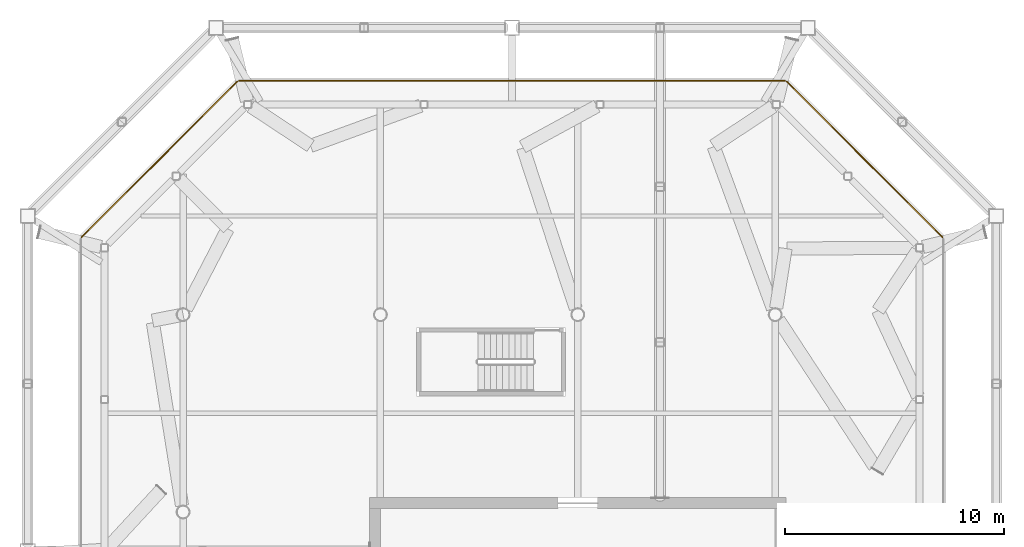
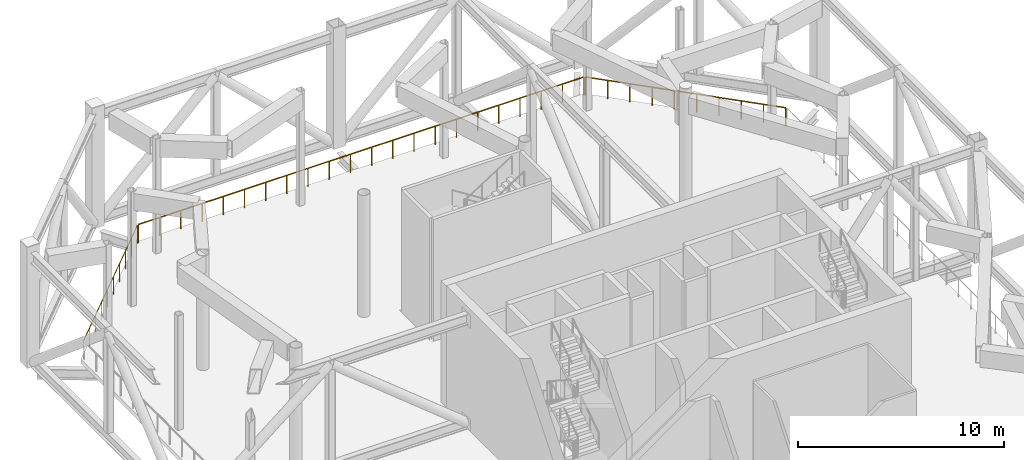
# One storey, part 17 of 17: 3 railings.
"""IFC4 building model written with IfcOpenShell, lengths in metres."""

from ifc_helpers import new_model, si_unit, direction, frame, origin, origin_2d, place, context, subcontext, project, spatial, circle, extrude, material, type_object, element, save


model = new_model("IFC4")

# Units and contexts
model_context = context("Model", 3, precision=1e-05, world=origin(), true_north=direction((0.0, 1.0)))
body_context = subcontext(model_context, "Body", "Model", "MODEL_VIEW")
ifc_project = project(units=[si_unit("LENGTHUNIT", "METRE"), si_unit("AREAUNIT", "SQUARE_METRE"), si_unit("VOLUMEUNIT", "CUBIC_METRE"), si_unit("PLANEANGLEUNIT", "RADIAN"), si_unit("MASSUNIT", "GRAM", prefix="KILO")], contexts=[model_context])

# Site, building, storey
site_placement = place(None, origin())
site = spatial("IfcSite", under=ifc_project, at=site_placement, CompositionType="ELEMENT")
building_placement = place(site_placement, origin())
building = spatial("IfcBuilding", under=site, at=building_placement, Name="Tskaro Facet Tower", CompositionType="ELEMENT")
storey_placement = place(building_placement, frame((0.0, 0.0, 210.0)))
storey = spatial("IfcBuildingStorey", under=building, at=storey_placement, Name="L54", CompositionType="ELEMENT", Elevation=210.0)

# Railings
ifc_material = material(Name="Bronze anodised aluminium 6063-T6", Category="aluminium")
railing_type = type_object("IfcRailingType", Name="Bronze guard rail (GD1)", PredefinedType="GUARDRAIL", material=ifc_material)
railing_1_placement = place(storey_placement, frame((16.631103515625, 12.52490234375, 0.0)))
element("IfcRailing", 1, at=railing_1_placement, inside=storey, type_object=railing_type, Name="Guard L54", PredefinedType="GUARDRAIL", context=body_context, shape_type="SweptSolid", body=[
    extrude(circle(Radius=0.02490234375, at=origin_2d()), frame((0.0, 0.0, 1.0751953125), z_axis=(-0.707106781187, 0.707106781187, 0.0), x_axis=(-0.707106781187, -0.707106781187, 0.0)), (0.0, 0.0, 1.0), 10.0498046875),
    extrude(circle(Radius=0.02001953125, at=origin_2d()), origin(), (0.0, 0.0, 1.0), 1.050048828125),
    extrude(circle(Radius=0.02001953125, at=origin_2d()), frame((-0.78955078125, 0.78955078125, 0.0)), (0.0, 0.0, 1.0), 1.050048828125),
    extrude(circle(Radius=0.02001953125, at=origin_2d()), frame((-1.5791015625, 1.5791015625, 0.0)), (0.0, 0.0, 1.0), 1.050048828125),
    extrude(circle(Radius=0.02001953125, at=origin_2d()), frame((-2.36865234375, 2.36865234375, 0.0)), (0.0, 0.0, 1.0), 1.050048828125),
    extrude(circle(Radius=0.02001953125, at=origin_2d()), frame((-3.158203125, 3.158203125, 0.0)), (0.0, 0.0, 1.0), 1.050048828125),
    extrude(circle(Radius=0.02001953125, at=origin_2d()), frame((-3.947998046875, 3.947998046875, 0.0)), (0.0, 0.0, 1.0), 1.050048828125),
    extrude(circle(Radius=0.02001953125, at=origin_2d()), frame((-4.737548828125, 4.737548828125, 0.0)), (0.0, 0.0, 1.0), 1.050048828125),
    extrude(circle(Radius=0.02001953125, at=origin_2d()), frame((-5.527099609375, 5.527099609375, 0.0)), (0.0, 0.0, 1.0), 1.050048828125),
    extrude(circle(Radius=0.02001953125, at=origin_2d()), frame((-6.316650390625, 6.316650390625, 0.0)), (0.0, 0.0, 1.0), 1.050048828125),
    extrude(circle(Radius=0.02001953125, at=origin_2d()), frame((-7.106201171875, 7.106201171875, 0.0)), (0.0, 0.0, 1.0), 1.050048828125),
])
railing_2_placement = place(storey_placement, frame((9.447998046875, 19.6630859375, 0.0)))
element("IfcRailing", 2, at=railing_2_placement, inside=storey, type_object=railing_type, Name="Guard L54", PredefinedType="GUARDRAIL", context=body_context, shape_type="SweptSolid", body=[
    extrude(circle(Radius=0.02490234375, at=origin_2d()), frame((0.0, 0.0, 1.0751953125), z_axis=(-1.0, 0.0, 0.0), x_axis=(0.0, -1.0, 0.0)), (0.0, 0.0, 1.0), 24.89599609375),
    extrude(circle(Radius=0.02001953125, at=origin_2d()), origin(), (0.0, 0.0, 1.0), 1.050048828125),
    extrude(circle(Radius=0.02001953125, at=origin_2d()), frame((-1.185546875, 0.0, 0.0)), (0.0, 0.0, 1.0), 1.050048828125),
    extrude(circle(Radius=0.02001953125, at=origin_2d()), frame((-2.37109375, 0.0, 0.0)), (0.0, 0.0, 1.0), 1.050048828125),
    extrude(circle(Radius=0.02001953125, at=origin_2d()), frame((-3.556640625, 0.0, 0.0)), (0.0, 0.0, 1.0), 1.050048828125),
    extrude(circle(Radius=0.02001953125, at=origin_2d()), frame((-4.7421875, 0.0, 0.0)), (0.0, 0.0, 1.0), 1.050048828125),
    extrude(circle(Radius=0.02001953125, at=origin_2d()), frame((-5.927734375, 0.0, 0.0)), (0.0, 0.0, 1.0), 1.050048828125),
    extrude(circle(Radius=0.02001953125, at=origin_2d()), frame((-7.113037109375, 0.0, 0.0)), (0.0, 0.0, 1.0), 1.050048828125),
    extrude(circle(Radius=0.02001953125, at=origin_2d()), frame((-8.298583984375, 0.0, 0.0)), (0.0, 0.0, 1.0), 1.050048828125),
    extrude(circle(Radius=0.02001953125, at=origin_2d()), frame((-9.484130859375, 0.0, 0.0)), (0.0, 0.0, 1.0), 1.050048828125),
    extrude(circle(Radius=0.02001953125, at=origin_2d()), frame((-10.669677734375, 0.0, 0.0)), (0.0, 0.0, 1.0), 1.050048828125),
    extrude(circle(Radius=0.02001953125, at=origin_2d()), frame((-11.855224609375, 0.0, 0.0)), (0.0, 0.0, 1.0), 1.050048828125),
    extrude(circle(Radius=0.02001953125, at=origin_2d()), frame((-13.040771484375, 0.0, 0.0)), (0.0, 0.0, 1.0), 1.050048828125),
    extrude(circle(Radius=0.02001953125, at=origin_2d()), frame((-14.226318359375, 0.0, 0.0)), (0.0, 0.0, 1.0), 1.050048828125),
    extrude(circle(Radius=0.02001953125, at=origin_2d()), frame((-15.411865234375, 0.0, 0.0)), (0.0, 0.0, 1.0), 1.050048828125),
    extrude(circle(Radius=0.02001953125, at=origin_2d()), frame((-16.597412109375, 0.0, 0.0)), (0.0, 0.0, 1.0), 1.050048828125),
    extrude(circle(Radius=0.02001953125, at=origin_2d()), frame((-17.782958984375, 0.0, 0.0)), (0.0, 0.0, 1.0), 1.050048828125),
    extrude(circle(Radius=0.02001953125, at=origin_2d()), frame((-18.96826171875, 0.0, 0.0)), (0.0, 0.0, 1.0), 1.050048828125),
    extrude(circle(Radius=0.02001953125, at=origin_2d()), frame((-20.15380859375, 0.0, 0.0)), (0.0, 0.0, 1.0), 1.050048828125),
    extrude(circle(Radius=0.02001953125, at=origin_2d()), frame((-21.33935546875, 0.0, 0.0)), (0.0, 0.0, 1.0), 1.050048828125),
    extrude(circle(Radius=0.02001953125, at=origin_2d()), frame((-22.52490234375, 0.0, 0.0)), (0.0, 0.0, 1.0), 1.050048828125),
    extrude(circle(Radius=0.02001953125, at=origin_2d()), frame((-23.71044921875, 0.0, 0.0)), (0.0, 0.0, 1.0), 1.050048828125),
    extrude(circle(Radius=0.02001953125, at=origin_2d()), frame((-24.89599609375, 0.0, 0.0)), (0.0, 0.0, 1.0), 1.050048828125),
])
railing_3_placement = place(storey_placement, frame((-15.52490234375, 19.631103515625, 0.0)))
element("IfcRailing", 3, at=railing_3_placement, inside=storey, type_object=railing_type, Name="Guard L54", PredefinedType="GUARDRAIL", context=body_context, shape_type="SweptSolid", body=[
    extrude(circle(Radius=0.02490234375, at=origin_2d()), frame((0.0, 0.0, 1.0751953125), z_axis=(-0.707106781187, -0.707106781187, 0.0), x_axis=(0.707106781187, -0.707106781187, 0.0)), (0.0, 0.0, 1.0), 10.0498046875),
    extrude(circle(Radius=0.02001953125, at=origin_2d()), origin(), (0.0, 0.0, 1.0), 1.050048828125),
    extrude(circle(Radius=0.02001953125, at=origin_2d()), frame((-0.78955078125, -0.78955078125, 0.0)), (0.0, 0.0, 1.0), 1.050048828125),
    extrude(circle(Radius=0.02001953125, at=origin_2d()), frame((-1.5791015625, -1.5791015625, 0.0)), (0.0, 0.0, 1.0), 1.050048828125),
    extrude(circle(Radius=0.02001953125, at=origin_2d()), frame((-2.36865234375, -2.36865234375, 0.0)), (0.0, 0.0, 1.0), 1.050048828125),
    extrude(circle(Radius=0.02001953125, at=origin_2d()), frame((-3.158203125, -3.158203125, 0.0)), (0.0, 0.0, 1.0), 1.050048828125),
    extrude(circle(Radius=0.02001953125, at=origin_2d()), frame((-3.947998046875, -3.947998046875, 0.0)), (0.0, 0.0, 1.0), 1.050048828125),
    extrude(circle(Radius=0.02001953125, at=origin_2d()), frame((-4.737548828125, -4.737548828125, 0.0)), (0.0, 0.0, 1.0), 1.050048828125),
    extrude(circle(Radius=0.02001953125, at=origin_2d()), frame((-5.527099609375, -5.527099609375, 0.0)), (0.0, 0.0, 1.0), 1.050048828125),
    extrude(circle(Radius=0.02001953125, at=origin_2d()), frame((-6.316650390625, -6.316650390625, 0.0)), (0.0, 0.0, 1.0), 1.050048828125),
    extrude(circle(Radius=0.02001953125, at=origin_2d()), frame((-7.106201171875, -7.106201171875, 0.0)), (0.0, 0.0, 1.0), 1.050048828125),
])

save(model, "model.ifc")
